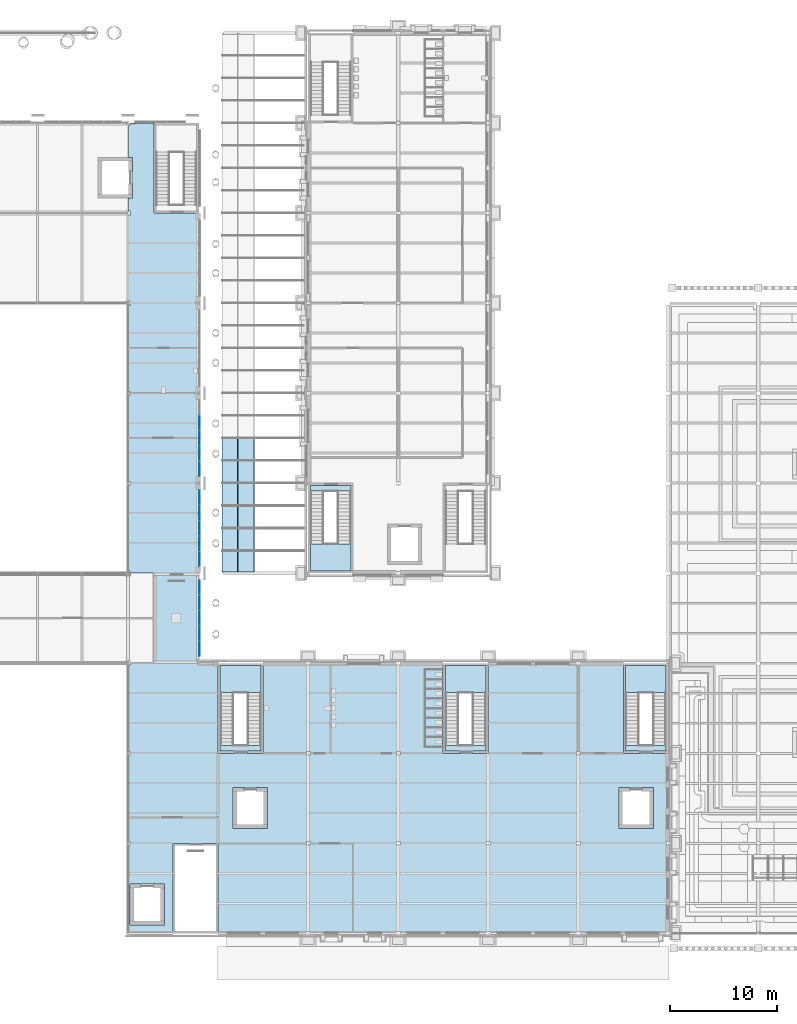
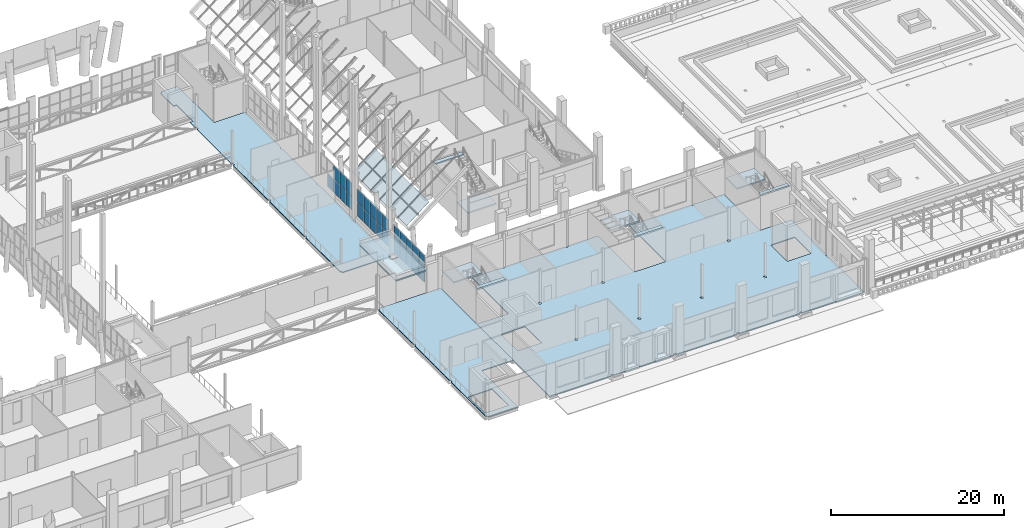
# One storey, part 42 of 76: 39 plates, 12 slabs, 7 elements without a shape of their own.
"""IFC4 building model written with IfcOpenShell, lengths in metres."""

from ifc_helpers import new_model, si_unit, direction, frame, origin, origin_2d, place, context, subcontext, project, spatial, polyline, rectangle, outline, extrude, material, layer, layer_set, type_object, element, aggregate, save


model = new_model("IFC4")

# Units and contexts
model_context = context("Model", 3, precision=1e-05, world=origin(), true_north=direction((0.0, 1.0)))
body_context = subcontext(model_context, "Body", "Model", "MODEL_VIEW")
ifc_project = project(units=[si_unit("LENGTHUNIT", "METRE"), si_unit("AREAUNIT", "SQUARE_METRE"), si_unit("VOLUMEUNIT", "CUBIC_METRE"), si_unit("PLANEANGLEUNIT", "RADIAN"), si_unit("MASSUNIT", "GRAM", prefix="KILO")], contexts=[model_context])

# Site, building, storey
site_placement = place(None, origin())
site = spatial("IfcSite", under=ifc_project, at=site_placement, CompositionType="ELEMENT")
building_placement = place(site_placement, origin())
building = spatial("IfcBuilding", under=site, at=building_placement, Name="Sava Quay Ferry Terminal", CompositionType="ELEMENT")
storey_placement = place(building_placement, frame((0.0, 0.0, 6.0)))
storey = spatial("IfcBuildingStorey", under=building, at=storey_placement, Name="L01", CompositionType="ELEMENT", Elevation=6.0)

# Slabs
ifc_material_1 = material(Name="Concrete C30/37", Category="concrete")
ifc_layer_1 = layer(ifc_material_1, 0.1298828125)
ifc_layer_set_1 = layer_set([ifc_layer_1], Name="Concrete C30/37")
slab_type_1 = type_object("IfcSlabType", Name="Composite floor slab 130", PredefinedType="FLOOR", material=ifc_layer_set_1)
slab_1_placement = place(storey_placement, frame((0.0, 0.0, -0.1298828125)))
element("IfcSlab", 1, at=slab_1_placement, inside=storey, type_object=slab_type_1, Name="A floor slab L01", PredefinedType="FLOOR", context=body_context, shape_type="SweptSolid", body=[
    extrude(outline(polyline([(79.800048828125, 33.60009765625), (79.800048828125, 25.199951171875), (75.760009765625, 25.199951171875), (75.760009765625, 25.360107421875), (75.60009765625, 25.360107421875), (75.60009765625, 33.43994140625), (75.760009765625, 33.43994140625), (75.760009765625, 33.760009765625), (75.60009765625, 33.760009765625), (75.60009765625, 41.840087890625), (75.760009765625, 41.840087890625), (75.760009765625, 42.159912109375), (75.60009765625, 42.159912109375), (75.60009765625, 50.18994140625), (75.760009765625, 50.18994140625), (75.760009765625, 50.39990234375), (78.0, 50.39990234375), (82.199951171875, 50.39990234375), (84.0, 50.39990234375), (84.0, 42.0), (84.0, 33.60009765625), (79.800048828125, 33.60009765625)]), holes=[polyline([(75.800048828125, 29.800048828125), (75.800048828125, 26.0), (79.0, 26.0), (79.0, 29.800048828125), (75.800048828125, 29.800048828125)])]), origin(), (0.0, 0.0, 1.0), 0.1298828125),
])
slab_2_placement = place(storey_placement, frame((0.0, 0.0, -0.1298828125)))
element("IfcSlab", 2, at=slab_2_placement, inside=storey, type_object=slab_type_1, Name="P floor slab L01", PredefinedType="FLOOR", context=body_context, shape_type="SweptSolid", body=[
    extrude(outline(polyline([(125.840087890625, 25.3701171875), (125.840087890625, 25.199951171875), (117.760009765625, 25.199951171875), (117.760009765625, 25.3701171875), (117.43994140625, 25.3701171875), (117.43994140625, 25.199951171875), (109.360107421875, 25.199951171875), (109.360107421875, 25.3701171875), (109.0400390625, 25.3701171875), (109.0400390625, 25.199951171875), (100.9599609375, 25.199951171875), (100.9599609375, 25.3701171875), (100.639892578125, 25.3701171875), (100.639892578125, 25.199951171875), (92.56005859375, 25.199951171875), (92.56005859375, 25.3701171875), (92.239990234375, 25.3701171875), (92.239990234375, 25.199951171875), (84.0, 25.199951171875), (84.0, 33.60009765625), (84.0, 42.0), (88.199951171875, 42.0), (88.199951171875, 50.39990234375), (92.239990234375, 50.39990234375), (92.239990234375, 50.22998046875), (92.56005859375, 50.22998046875), (92.56005859375, 50.39990234375), (100.639892578125, 50.39990234375), (100.639892578125, 50.22998046875), (100.9599609375, 50.22998046875), (100.9599609375, 50.39990234375), (105.0, 50.39990234375), (105.0, 42.0), (109.199951171875, 42.0), (109.199951171875, 50.39990234375), (117.43994140625, 50.39990234375), (117.43994140625, 50.22998046875), (117.760009765625, 50.22998046875), (117.760009765625, 50.39990234375), (121.800048828125, 50.39990234375), (121.800048828125, 42.0), (126.0, 42.0), (126.0, 33.77001953125), (125.840087890625, 33.77001953125), (125.840087890625, 33.429931640625), (126.0, 33.429931640625), (126.0, 25.3701171875), (125.840087890625, 25.3701171875)]), holes=[polyline([(92.239990234375, 33.77001953125), (92.239990234375, 33.429931640625), (92.56005859375, 33.429931640625), (92.56005859375, 33.77001953125), (92.239990234375, 33.77001953125)]), polyline([(100.639892578125, 33.77001953125), (100.639892578125, 33.429931640625), (100.9599609375, 33.429931640625), (100.9599609375, 33.77001953125), (100.639892578125, 33.77001953125)]), polyline([(85.39990234375, 35.0), (88.60009765625, 35.0), (88.60009765625, 38.800048828125), (85.39990234375, 38.800048828125), (85.39990234375, 35.0)]), polyline([(100.639892578125, 42.169921875), (100.639892578125, 41.830078125), (100.9599609375, 41.830078125), (100.9599609375, 42.169921875), (100.639892578125, 42.169921875)]), polyline([(92.239990234375, 42.169921875), (92.239990234375, 41.830078125), (92.56005859375, 41.830078125), (92.56005859375, 42.169921875), (92.239990234375, 42.169921875)]), polyline([(109.0400390625, 33.429931640625), (109.360107421875, 33.429931640625), (109.360107421875, 33.77001953125), (109.0400390625, 33.77001953125), (109.0400390625, 33.429931640625)]), polyline([(117.43994140625, 33.77001953125), (117.43994140625, 33.429931640625), (117.760009765625, 33.429931640625), (117.760009765625, 33.77001953125), (117.43994140625, 33.77001953125)]), polyline([(121.39990234375, 38.800048828125), (121.39990234375, 35.0), (124.60009765625, 35.0), (124.60009765625, 38.800048828125), (121.39990234375, 38.800048828125)]), polyline([(117.43994140625, 41.830078125), (117.760009765625, 41.830078125), (117.760009765625, 42.169921875), (117.43994140625, 42.169921875), (117.43994140625, 41.830078125)])]), origin(), (0.0, 0.0, 1.0), 0.1298828125),
])
slab_3_placement = place(storey_placement, frame((0.0, 0.0, -0.1298828125)))
element("IfcSlab", 3, at=slab_3_placement, inside=storey, type_object=slab_type_1, Name="D floor slab L01", PredefinedType="FLOOR", context=body_context, shape_type="SweptSolid", body=[
    extrude(outline(polyline([(78.0, 58.800048828125), (75.760009765625, 58.800048828125), (75.760009765625, 59.010009765625), (75.60009765625, 59.010009765625), (75.60009765625, 67.044921875), (75.760009765625, 67.044921875), (75.760009765625, 67.35498046875), (75.60009765625, 67.35498046875), (75.60009765625, 75.445068359375), (75.760009765625, 75.445068359375), (75.760009765625, 75.7548828125), (75.60009765625, 75.7548828125), (75.60009765625, 83.7900390625), (75.760009765625, 83.7900390625), (75.760009765625, 84.2099609375), (75.60009765625, 84.2099609375), (75.60009765625, 92.18994140625), (75.760009765625, 92.18994140625), (75.760009765625, 92.610107421875), (75.60009765625, 92.610107421875), (75.60009765625, 93.800048828125), (76.0, 93.800048828125), (76.0, 97.60009765625), (75.60009765625, 97.60009765625), (75.60009765625, 100.590087890625), (75.760009765625, 100.590087890625), (75.760009765625, 100.800048828125), (78.0, 100.800048828125), (78.0, 92.39990234375), (82.199951171875, 92.39990234375), (82.199951171875, 84.1298828125), (82.070068359375, 84.1298828125), (82.070068359375, 83.8701171875), (82.199951171875, 83.8701171875), (82.199951171875, 75.72998046875), (82.070068359375, 75.72998046875), (82.070068359375, 75.469970703125), (82.199951171875, 75.469970703125), (82.199951171875, 67.330078125), (82.070068359375, 67.330078125), (82.070068359375, 67.070068359375), (82.199951171875, 67.070068359375), (82.199951171875, 58.800048828125), (78.0, 58.800048828125)])), origin(), (0.0, 0.0, 1.0), 0.1298828125),
])

# Curtain wall, plates
ifc_material_2 = material(Name="Aluminium and glass curtain wall, double low-e glazed", Category="aluminium")
curtain_wall_type = type_object("IfcCurtainWallType", Name="Curtain wall CW-F flank", PredefinedType="NOTDEFINED", material=ifc_material_2)
curtain_wall_1_placement = place(storey_placement, origin())
curtain_wall_1 = element("IfcCurtainWall", 4, at=curtain_wall_1_placement, inside=storey, type_object=curtain_wall_type, Name="Curtain wall D-E L01 bay 1", PredefinedType="NOTDEFINED")
ifc_material_3 = material(Name="Laminated glass, double low-e glazed unit", Category="glass")
ifc_layer_2 = layer(ifc_material_3, 0.028076171875)
ifc_layer_set_2 = layer_set([ifc_layer_2], Name="Laminated glass, double low-e glazed unit")
plate_type_1 = type_object("IfcPlateType", Name="Glass panel 28 double low-e", PredefinedType="CURTAIN_PANEL", material=ifc_layer_set_2)
plate_1_placement = place(storey_placement, frame((82.27490234375, 51.735107421875, 0.949951171875), z_axis=(0.0, 0.0, 1.0), x_axis=(0.0, 1.0, 0.0)))
plate_1 = element("IfcPlate", 5, at=plate_1_placement, type_object=plate_type_1, Name="CW37 panel 1.1", PredefinedType="CURTAIN_PANEL", context=body_context, shape_type="SweptSolid", body=[
    extrude(rectangle(XDim=1.35009765625, YDim=0.028076171875, at=origin_2d()), origin(), (0.0, 0.0, 1.0), 1.875),
])
plate_2_placement = place(storey_placement, frame((82.27490234375, 51.735107421875, 2.875), z_axis=(0.0, 0.0, 1.0), x_axis=(0.0, 1.0, 0.0)))
plate_2 = element("IfcPlate", 6, at=plate_2_placement, type_object=plate_type_1, Name="CW37 panel 1.2", PredefinedType="CURTAIN_PANEL", context=body_context, shape_type="SweptSolid", body=[
    extrude(rectangle(XDim=1.35009765625, YDim=0.028076171875, at=origin_2d()), origin(), (0.0, 0.0, 1.0), 1.875),
])
plate_3_placement = place(storey_placement, frame((82.27490234375, 53.159912109375, 0.949951171875), z_axis=(0.0, 0.0, 1.0), x_axis=(0.0, 1.0, 0.0)))
plate_3 = element("IfcPlate", 7, at=plate_3_placement, type_object=plate_type_1, Name="CW37 panel 2.1", PredefinedType="CURTAIN_PANEL", context=body_context, shape_type="SweptSolid", body=[
    extrude(rectangle(XDim=1.3798828125, YDim=0.028076171875, at=origin_2d()), origin(), (0.0, 0.0, 1.0), 1.875),
])
plate_4_placement = place(storey_placement, frame((82.27490234375, 53.159912109375, 2.875), z_axis=(0.0, 0.0, 1.0), x_axis=(0.0, 1.0, 0.0)))
plate_4 = element("IfcPlate", 8, at=plate_4_placement, type_object=plate_type_1, Name="CW37 panel 2.2", PredefinedType="CURTAIN_PANEL", context=body_context, shape_type="SweptSolid", body=[
    extrude(rectangle(XDim=1.3798828125, YDim=0.028076171875, at=origin_2d()), origin(), (0.0, 0.0, 1.0), 1.875),
])
plate_5_placement = place(storey_placement, frame((82.27490234375, 54.60009765625, 0.949951171875), z_axis=(0.0, 0.0, 1.0), x_axis=(0.0, 1.0, 0.0)))
plate_5 = element("IfcPlate", 9, at=plate_5_placement, type_object=plate_type_1, Name="CW37 panel 3.1", PredefinedType="CURTAIN_PANEL", context=body_context, shape_type="SweptSolid", body=[
    extrude(rectangle(XDim=1.3798828125, YDim=0.028076171875, at=origin_2d()), origin(), (0.0, 0.0, 1.0), 1.875),
])
plate_6_placement = place(storey_placement, frame((82.27490234375, 54.60009765625, 2.875), z_axis=(0.0, 0.0, 1.0), x_axis=(0.0, 1.0, 0.0)))
plate_6 = element("IfcPlate", 10, at=plate_6_placement, type_object=plate_type_1, Name="CW37 panel 3.2", PredefinedType="CURTAIN_PANEL", context=body_context, shape_type="SweptSolid", body=[
    extrude(rectangle(XDim=1.3798828125, YDim=0.028076171875, at=origin_2d()), origin(), (0.0, 0.0, 1.0), 1.875),
])
plate_7_placement = place(storey_placement, frame((82.27490234375, 56.0400390625, 0.949951171875), z_axis=(0.0, 0.0, 1.0), x_axis=(0.0, 1.0, 0.0)))
plate_7 = element("IfcPlate", 11, at=plate_7_placement, type_object=plate_type_1, Name="CW37 panel 4.1", PredefinedType="CURTAIN_PANEL", context=body_context, shape_type="SweptSolid", body=[
    extrude(rectangle(XDim=1.3798828125, YDim=0.028076171875, at=origin_2d()), origin(), (0.0, 0.0, 1.0), 1.875),
])
plate_8_placement = place(storey_placement, frame((82.27490234375, 56.0400390625, 2.875), z_axis=(0.0, 0.0, 1.0), x_axis=(0.0, 1.0, 0.0)))
plate_8 = element("IfcPlate", 12, at=plate_8_placement, type_object=plate_type_1, Name="CW37 panel 4.2", PredefinedType="CURTAIN_PANEL", context=body_context, shape_type="SweptSolid", body=[
    extrude(rectangle(XDim=1.3798828125, YDim=0.028076171875, at=origin_2d()), origin(), (0.0, 0.0, 1.0), 1.875),
])
plate_9_placement = place(storey_placement, frame((82.27490234375, 57.465087890625, 0.949951171875), z_axis=(0.0, 0.0, 1.0), x_axis=(0.0, 1.0, 0.0)))
plate_9 = element("IfcPlate", 13, at=plate_9_placement, type_object=plate_type_1, Name="CW37 panel 5.1", PredefinedType="CURTAIN_PANEL", context=body_context, shape_type="SweptSolid", body=[
    extrude(rectangle(XDim=1.35009765625, YDim=0.028076171875, at=origin_2d()), origin(), (0.0, 0.0, 1.0), 1.875),
])
plate_10_placement = place(storey_placement, frame((82.27490234375, 57.465087890625, 2.875), z_axis=(0.0, 0.0, 1.0), x_axis=(0.0, 1.0, 0.0)))
plate_10 = element("IfcPlate", 14, at=plate_10_placement, type_object=plate_type_1, Name="CW37 panel 5.2", PredefinedType="CURTAIN_PANEL", context=body_context, shape_type="SweptSolid", body=[
    extrude(rectangle(XDim=1.35009765625, YDim=0.028076171875, at=origin_2d()), origin(), (0.0, 0.0, 1.0), 1.875),
])
aggregate(curtain_wall_1, [plate_1, plate_2, plate_3, plate_4, plate_5, plate_6, plate_7, plate_8, plate_9, plate_10])

curtain_wall_2_placement = place(storey_placement, origin())
curtain_wall_2 = element("IfcCurtainWall", 15, at=curtain_wall_2_placement, inside=storey, type_object=curtain_wall_type, Name="Curtain wall D-E L01 bay 2", PredefinedType="NOTDEFINED")
plate_11_placement = place(storey_placement, frame((82.27490234375, 60.135009765625, 0.949951171875), z_axis=(0.0, 0.0, 1.0), x_axis=(0.0, 1.0, 0.0)))
plate_11 = element("IfcPlate", 16, at=plate_11_placement, type_object=plate_type_1, Name="CW41 panel 1.1", PredefinedType="CURTAIN_PANEL", context=body_context, shape_type="SweptSolid", body=[
    extrude(rectangle(XDim=1.35009765625, YDim=0.028076171875, at=origin_2d()), origin(), (0.0, 0.0, 1.0), 1.875),
])
plate_12_placement = place(storey_placement, frame((82.27490234375, 60.135009765625, 2.875), z_axis=(0.0, 0.0, 1.0), x_axis=(0.0, 1.0, 0.0)))
plate_12 = element("IfcPlate", 17, at=plate_12_placement, type_object=plate_type_1, Name="CW41 panel 1.2", PredefinedType="CURTAIN_PANEL", context=body_context, shape_type="SweptSolid", body=[
    extrude(rectangle(XDim=1.35009765625, YDim=0.028076171875, at=origin_2d()), origin(), (0.0, 0.0, 1.0), 1.875),
])
plate_13_placement = place(storey_placement, frame((82.27490234375, 61.56005859375, 0.949951171875), z_axis=(0.0, 0.0, 1.0), x_axis=(0.0, 1.0, 0.0)))
plate_13 = element("IfcPlate", 18, at=plate_13_placement, type_object=plate_type_1, Name="CW41 panel 2.1", PredefinedType="CURTAIN_PANEL", context=body_context, shape_type="SweptSolid", body=[
    extrude(rectangle(XDim=1.3798828125, YDim=0.028076171875, at=origin_2d()), origin(), (0.0, 0.0, 1.0), 1.875),
])
plate_14_placement = place(storey_placement, frame((82.27490234375, 61.56005859375, 2.875), z_axis=(0.0, 0.0, 1.0), x_axis=(0.0, 1.0, 0.0)))
plate_14 = element("IfcPlate", 19, at=plate_14_placement, type_object=plate_type_1, Name="CW41 panel 2.2", PredefinedType="CURTAIN_PANEL", context=body_context, shape_type="SweptSolid", body=[
    extrude(rectangle(XDim=1.3798828125, YDim=0.028076171875, at=origin_2d()), origin(), (0.0, 0.0, 1.0), 1.875),
])
plate_15_placement = place(storey_placement, frame((82.27490234375, 63.0, 0.949951171875), z_axis=(0.0, 0.0, 1.0), x_axis=(0.0, 1.0, 0.0)))
plate_15 = element("IfcPlate", 20, at=plate_15_placement, type_object=plate_type_1, Name="CW41 panel 3.1", PredefinedType="CURTAIN_PANEL", context=body_context, shape_type="SweptSolid", body=[
    extrude(rectangle(XDim=1.3798828125, YDim=0.028076171875, at=origin_2d()), origin(), (0.0, 0.0, 1.0), 1.875),
])
plate_16_placement = place(storey_placement, frame((82.27490234375, 63.0, 2.875), z_axis=(0.0, 0.0, 1.0), x_axis=(0.0, 1.0, 0.0)))
plate_16 = element("IfcPlate", 21, at=plate_16_placement, type_object=plate_type_1, Name="CW41 panel 3.2", PredefinedType="CURTAIN_PANEL", context=body_context, shape_type="SweptSolid", body=[
    extrude(rectangle(XDim=1.3798828125, YDim=0.028076171875, at=origin_2d()), origin(), (0.0, 0.0, 1.0), 1.875),
])
plate_17_placement = place(storey_placement, frame((82.27490234375, 64.43994140625, 0.949951171875), z_axis=(0.0, 0.0, 1.0), x_axis=(0.0, 1.0, 0.0)))
plate_17 = element("IfcPlate", 22, at=plate_17_placement, type_object=plate_type_1, Name="CW41 panel 4.1", PredefinedType="CURTAIN_PANEL", context=body_context, shape_type="SweptSolid", body=[
    extrude(rectangle(XDim=1.3798828125, YDim=0.028076171875, at=origin_2d()), origin(), (0.0, 0.0, 1.0), 1.875),
])
plate_18_placement = place(storey_placement, frame((82.27490234375, 64.43994140625, 2.875), z_axis=(0.0, 0.0, 1.0), x_axis=(0.0, 1.0, 0.0)))
plate_18 = element("IfcPlate", 23, at=plate_18_placement, type_object=plate_type_1, Name="CW41 panel 4.2", PredefinedType="CURTAIN_PANEL", context=body_context, shape_type="SweptSolid", body=[
    extrude(rectangle(XDim=1.3798828125, YDim=0.028076171875, at=origin_2d()), origin(), (0.0, 0.0, 1.0), 1.875),
])
plate_19_placement = place(storey_placement, frame((82.27490234375, 65.864990234375, 0.949951171875), z_axis=(0.0, 0.0, 1.0), x_axis=(0.0, 1.0, 0.0)))
plate_19 = element("IfcPlate", 24, at=plate_19_placement, type_object=plate_type_1, Name="CW41 panel 5.1", PredefinedType="CURTAIN_PANEL", context=body_context, shape_type="SweptSolid", body=[
    extrude(rectangle(XDim=1.35009765625, YDim=0.028076171875, at=origin_2d()), origin(), (0.0, 0.0, 1.0), 1.875),
])
plate_20_placement = place(storey_placement, frame((82.27490234375, 65.864990234375, 2.875), z_axis=(0.0, 0.0, 1.0), x_axis=(0.0, 1.0, 0.0)))
plate_20 = element("IfcPlate", 25, at=plate_20_placement, type_object=plate_type_1, Name="CW41 panel 5.2", PredefinedType="CURTAIN_PANEL", context=body_context, shape_type="SweptSolid", body=[
    extrude(rectangle(XDim=1.35009765625, YDim=0.028076171875, at=origin_2d()), origin(), (0.0, 0.0, 1.0), 1.875),
])
aggregate(curtain_wall_2, [plate_11, plate_12, plate_13, plate_14, plate_15, plate_16, plate_17, plate_18, plate_19, plate_20])

curtain_wall_3_placement = place(storey_placement, origin())
curtain_wall_3 = element("IfcCurtainWall", 26, at=curtain_wall_3_placement, inside=storey, type_object=curtain_wall_type, Name="Curtain wall D-E L01 bay 3", PredefinedType="NOTDEFINED")
plate_21_placement = place(storey_placement, frame((82.27490234375, 68.534912109375, 0.949951171875), z_axis=(0.0, 0.0, 1.0), x_axis=(0.0, 1.0, 0.0)))
plate_21 = element("IfcPlate", 27, at=plate_21_placement, type_object=plate_type_1, Name="CW45 panel 1.1", PredefinedType="CURTAIN_PANEL", context=body_context, shape_type="SweptSolid", body=[
    extrude(rectangle(XDim=1.35009765625, YDim=0.028076171875, at=origin_2d()), origin(), (0.0, 0.0, 1.0), 1.875),
])
plate_22_placement = place(storey_placement, frame((82.27490234375, 68.534912109375, 2.875), z_axis=(0.0, 0.0, 1.0), x_axis=(0.0, 1.0, 0.0)))
plate_22 = element("IfcPlate", 28, at=plate_22_placement, type_object=plate_type_1, Name="CW45 panel 1.2", PredefinedType="CURTAIN_PANEL", context=body_context, shape_type="SweptSolid", body=[
    extrude(rectangle(XDim=1.35009765625, YDim=0.028076171875, at=origin_2d()), origin(), (0.0, 0.0, 1.0), 1.875),
])
plate_23_placement = place(storey_placement, frame((82.27490234375, 69.9599609375, 0.949951171875), z_axis=(0.0, 0.0, 1.0), x_axis=(0.0, 1.0, 0.0)))
plate_23 = element("IfcPlate", 29, at=plate_23_placement, type_object=plate_type_1, Name="CW45 panel 2.1", PredefinedType="CURTAIN_PANEL", context=body_context, shape_type="SweptSolid", body=[
    extrude(rectangle(XDim=1.3798828125, YDim=0.028076171875, at=origin_2d()), origin(), (0.0, 0.0, 1.0), 1.875),
])
plate_24_placement = place(storey_placement, frame((82.27490234375, 69.9599609375, 2.875), z_axis=(0.0, 0.0, 1.0), x_axis=(0.0, 1.0, 0.0)))
plate_24 = element("IfcPlate", 30, at=plate_24_placement, type_object=plate_type_1, Name="CW45 panel 2.2", PredefinedType="CURTAIN_PANEL", context=body_context, shape_type="SweptSolid", body=[
    extrude(rectangle(XDim=1.3798828125, YDim=0.028076171875, at=origin_2d()), origin(), (0.0, 0.0, 1.0), 1.875),
])
plate_25_placement = place(storey_placement, frame((82.27490234375, 71.39990234375, 0.949951171875), z_axis=(0.0, 0.0, 1.0), x_axis=(0.0, 1.0, 0.0)))
plate_25 = element("IfcPlate", 31, at=plate_25_placement, type_object=plate_type_1, Name="CW45 panel 3.1", PredefinedType="CURTAIN_PANEL", context=body_context, shape_type="SweptSolid", body=[
    extrude(rectangle(XDim=1.3798828125, YDim=0.028076171875, at=origin_2d()), origin(), (0.0, 0.0, 1.0), 1.875),
])
plate_26_placement = place(storey_placement, frame((82.27490234375, 71.39990234375, 2.875), z_axis=(0.0, 0.0, 1.0), x_axis=(0.0, 1.0, 0.0)))
plate_26 = element("IfcPlate", 32, at=plate_26_placement, type_object=plate_type_1, Name="CW45 panel 3.2", PredefinedType="CURTAIN_PANEL", context=body_context, shape_type="SweptSolid", body=[
    extrude(rectangle(XDim=1.3798828125, YDim=0.028076171875, at=origin_2d()), origin(), (0.0, 0.0, 1.0), 1.875),
])
plate_27_placement = place(storey_placement, frame((82.27490234375, 72.840087890625, 0.949951171875), z_axis=(0.0, 0.0, 1.0), x_axis=(0.0, 1.0, 0.0)))
plate_27 = element("IfcPlate", 33, at=plate_27_placement, type_object=plate_type_1, Name="CW45 panel 4.1", PredefinedType="CURTAIN_PANEL", context=body_context, shape_type="SweptSolid", body=[
    extrude(rectangle(XDim=1.3798828125, YDim=0.028076171875, at=origin_2d()), origin(), (0.0, 0.0, 1.0), 1.875),
])
aggregate(curtain_wall_3, [plate_21, plate_22, plate_23, plate_24, plate_25, plate_26, plate_27])

# Slab
ifc_material_4 = material(Name="Concrete C35/45", Category="concrete")
ifc_layer_3 = layer(ifc_material_4, 0.199951171875)
ifc_layer_set_3 = layer_set([ifc_layer_3], Name="Concrete C35/45")
slab_type_2 = type_object("IfcSlabType", Name="RC core roof slab 200", PredefinedType="ROOF", material=ifc_layer_set_3)
slab_4_placement = place(storey_placement, frame((0.0, 0.0, 3.0)))
element("IfcSlab", 34, at=slab_4_placement, inside=storey, type_object=slab_type_2, Name="Core roof slab ST-D2", PredefinedType="ROOF", context=body_context, shape_type="SweptSolid", body=[
    extrude(outline(polyline([(78.0, 50.39990234375), (82.199951171875, 50.39990234375), (82.199951171875, 58.800048828125), (78.0, 58.800048828125), (78.0, 50.39990234375)]), holes=[polyline([(79.75, 54.25), (80.449951171875, 54.25), (80.449951171875, 54.949951171875), (79.75, 54.949951171875), (79.75, 54.25)])]), origin(), (0.0, 0.0, 1.0), 0.199951171875),
])

# Plates
ifc_material_5 = material(Name="Laminated glass", Category="glass")
ifc_layer_4 = layer(ifc_material_5, 0.0400390625)
ifc_layer_set_4 = layer_set([ifc_layer_4], Name="Laminated glass")
plate_type_2 = type_object("IfcPlateType", Name="Skylight glass 40", PredefinedType="SHEET", material=ifc_layer_set_4)
plate_28_placement = place(storey_placement, frame((85.814453125, 71.3798828125, 4.5869140625), z_axis=(-0.617821551932, 0.0, 0.786318338822), x_axis=(0.0, -1.0, 0.0)))
element("IfcPlate", 35, at=plate_28_placement, inside=storey, type_object=plate_type_2, Name="Passage roof glass PS-F-K18.0", PredefinedType="SHEET", context=body_context, shape_type="SweptSolid", body=[
    extrude(outline(polyline([(0.0, 0.0), (2.059814453125, 0.0), (2.059814453125, -1.816962503557546), (0.0, -1.816962503557546), (0.0, 0.0)])), origin(), (0.0, 0.0, -1.0), 0.0400390625),
])
plate_29_placement = place(storey_placement, frame((85.845947265625, 71.3798828125, 4.611572265625), z_axis=(-0.617810385509, 0.0, 0.786327112312), x_axis=(0.786327112312, 0.0, 0.617810385509)))
element("IfcPlate", 36, at=plate_29_placement, inside=storey, type_object=plate_type_2, Name="Passage roof glass PS-F-K18.1", PredefinedType="SHEET", context=body_context, shape_type="SweptSolid", body=[
    extrude(outline(polyline([(0.0, 0.0), (1.9311997052158885, 0.0), (1.9311997052158885, -2.059814453125), (0.0, -2.059814453125), (0.0, 0.0)])), origin(), (0.0, 0.0, -1.0), 0.0400390625),
])
plate_30_placement = place(storey_placement, frame((85.814453125, 69.280029296875, 4.5869140625), z_axis=(-0.617821551932, 0.0, 0.786318338822), x_axis=(0.0, -1.0, 0.0)))
element("IfcPlate", 37, at=plate_30_placement, inside=storey, type_object=plate_type_2, Name="Passage roof glass PS-F-K19.0", PredefinedType="SHEET", context=body_context, shape_type="SweptSolid", body=[
    extrude(outline(polyline([(0.0, 0.0), (2.06005859375, 0.0), (2.06005859375, -1.8169625035575463), (0.0, -1.8169625035575463), (0.0, 0.0)])), origin(), (0.0, 0.0, -1.0), 0.0400390625),
])
plate_31_placement = place(storey_placement, frame((85.845947265625, 69.280029296875, 4.611572265625), z_axis=(-0.617810385509, 0.0, 0.786327112312), x_axis=(0.786327112312, 0.0, 0.617810385509)))
element("IfcPlate", 38, at=plate_31_placement, inside=storey, type_object=plate_type_2, Name="Passage roof glass PS-F-K19.1", PredefinedType="SHEET", context=body_context, shape_type="SweptSolid", body=[
    extrude(outline(polyline([(0.0, 0.0), (1.9311997052158885, 0.0), (1.9311997052158885, -2.06005859375), (0.0, -2.06005859375), (0.0, 0.0)])), origin(), (0.0, 0.0, -1.0), 0.0400390625),
])
plate_32_placement = place(storey_placement, frame((85.814453125, 67.179931640625, 4.5869140625), z_axis=(-0.617821551932, 0.0, 0.786318338822), x_axis=(0.0, -1.0, 0.0)))
element("IfcPlate", 39, at=plate_32_placement, inside=storey, type_object=plate_type_2, Name="Passage roof glass PS-F-K20.0", PredefinedType="SHEET", context=body_context, shape_type="SweptSolid", body=[
    extrude(outline(polyline([(0.0, 0.0), (2.059814453125, 0.0), (2.059814453125, -1.816962503557546), (0.0, -1.816962503557546), (0.0, 0.0)])), origin(), (0.0, 0.0, -1.0), 0.0400390625),
])
plate_33_placement = place(storey_placement, frame((85.845947265625, 67.179931640625, 4.611572265625), z_axis=(-0.617810385509, 0.0, 0.786327112312), x_axis=(0.786327112312, 0.0, 0.617810385509)))
element("IfcPlate", 40, at=plate_33_placement, inside=storey, type_object=plate_type_2, Name="Passage roof glass PS-F-K20.1", PredefinedType="SHEET", context=body_context, shape_type="SweptSolid", body=[
    extrude(outline(polyline([(0.0, 0.0), (1.9311997052158885, 0.0), (1.9311997052158885, -2.059814453125), (0.0, -2.059814453125), (0.0, 0.0)])), origin(), (0.0, 0.0, -1.0), 0.0400390625),
])
plate_34_placement = place(storey_placement, frame((85.814453125, 65.080078125, 4.5869140625), z_axis=(-0.617821551932, 0.0, 0.786318338822), x_axis=(0.0, -1.0, 0.0)))
element("IfcPlate", 41, at=plate_34_placement, inside=storey, type_object=plate_type_2, Name="Passage roof glass PS-F-K21.0", PredefinedType="SHEET", context=body_context, shape_type="SweptSolid", body=[
    extrude(outline(polyline([(0.0, 0.0), (2.06005859375, 0.0), (2.06005859375, -1.8169625035575463), (0.0, -1.8169625035575463), (0.0, 0.0)])), origin(), (0.0, 0.0, -1.0), 0.0400390625),
])
plate_35_placement = place(storey_placement, frame((85.845947265625, 65.080078125, 4.611572265625), z_axis=(-0.617810385509, 0.0, 0.786327112312), x_axis=(0.786327112312, 0.0, 0.617810385509)))
element("IfcPlate", 42, at=plate_35_placement, inside=storey, type_object=plate_type_2, Name="Passage roof glass PS-F-K21.1", PredefinedType="SHEET", context=body_context, shape_type="SweptSolid", body=[
    extrude(outline(polyline([(0.0, 0.0), (1.9311997052158885, 0.0), (1.9311997052158885, -2.06005859375), (0.0, -2.06005859375), (0.0, 0.0)])), origin(), (0.0, 0.0, -1.0), 0.0400390625),
])
plate_36_placement = place(storey_placement, frame((85.814453125, 62.97998046875, 4.5869140625), z_axis=(-0.617821551932, 0.0, 0.786318338822), x_axis=(0.0, -1.0, 0.0)))
element("IfcPlate", 43, at=plate_36_placement, inside=storey, type_object=plate_type_2, Name="Passage roof glass PS-F-K22.0", PredefinedType="SHEET", context=body_context, shape_type="SweptSolid", body=[
    extrude(outline(polyline([(0.0, 0.0), (2.06005859375, 0.0), (2.06005859375, -1.8169625035575463), (0.0, -1.8169625035575463), (0.0, 0.0)])), origin(), (0.0, 0.0, -1.0), 0.0400390625),
])
plate_37_placement = place(storey_placement, frame((85.845947265625, 62.97998046875, 4.611572265625), z_axis=(-0.617810385509, 0.0, 0.786327112312), x_axis=(0.786327112312, 0.0, 0.617810385509)))
element("IfcPlate", 44, at=plate_37_placement, inside=storey, type_object=plate_type_2, Name="Passage roof glass PS-F-K22.1", PredefinedType="SHEET", context=body_context, shape_type="SweptSolid", body=[
    extrude(outline(polyline([(0.0, 0.0), (1.9311997052158885, 0.0), (1.9311997052158885, -2.06005859375), (0.0, -2.06005859375), (0.0, 0.0)])), origin(), (0.0, 0.0, -1.0), 0.0400390625),
])
plate_38_placement = place(storey_placement, frame((85.814453125, 60.8798828125, 4.5869140625), z_axis=(-0.617821551932, 0.0, 0.786318338822), x_axis=(0.0, -1.0, 0.0)))
element("IfcPlate", 45, at=plate_38_placement, inside=storey, type_object=plate_type_2, Name="Passage roof glass PS-F-K23.0", PredefinedType="SHEET", context=body_context, shape_type="SweptSolid", body=[
    extrude(outline(polyline([(0.0, 0.0), (1.945556640625, 0.0), (1.945556640625, -1.816962503557546), (0.0, -1.816962503557546), (0.0, 0.0)])), origin(), (0.0, 0.0, -1.0), 0.0400390625),
])
plate_39_placement = place(storey_placement, frame((85.845947265625, 60.8798828125, 4.611572265625), z_axis=(-0.617810385509, 0.0, 0.786327112312), x_axis=(0.786327112312, 0.0, 0.617810385509)))
element("IfcPlate", 46, at=plate_39_placement, inside=storey, type_object=plate_type_2, Name="Passage roof glass PS-F-K23.1", PredefinedType="SHEET", context=body_context, shape_type="SweptSolid", body=[
    extrude(outline(polyline([(0.0, 0.0), (1.9311997052158885, 0.0), (1.9311997052158885, -1.945556640625), (0.0, -1.945556640625), (0.0, 0.0)])), origin(), (0.0, 0.0, -1.0), 0.0400390625),
])

# Stair, slab
ifc_material_6 = material(Name="Concrete C30/37", Category="concrete")
stair_type = type_object("IfcStairType", Name="Stair 1200 half landing", PredefinedType="HALF_TURN_STAIR", material=ifc_material_6)
stair_1_placement = place(storey_placement, origin())
stair_1 = element("IfcStair", 47, at=stair_1_placement, inside=storey, type_object=stair_type, Name="Stair ST-P1 L01", PredefinedType="HALF_TURN_STAIR")
ifc_material_7 = material(Name="Concrete C30/37", Category="concrete")
ifc_layer_5 = layer(ifc_material_7, 0.199951171875)
ifc_layer_set_5 = layer_set([ifc_layer_5], Name="Concrete C30/37")
slab_type_3 = type_object("IfcSlabType", Name="Stair head floor 200", PredefinedType="FLOOR", material=ifc_layer_set_5)
slab_5_placement = place(storey_placement, frame((0.0, 0.0, 4.60009765625)))
slab_5 = element("IfcSlab", 48, at=slab_5_placement, type_object=slab_type_3, Name="ST-P1 head floor L02", PredefinedType="FLOOR", context=body_context, shape_type="SweptSolid", body=[
    extrude(outline(polyline([(84.199951171875, 42.199951171875), (84.199951171875, 42.72998046875), (88.0, 42.72998046875), (88.0, 42.199951171875), (84.199951171875, 42.199951171875)])), origin(), (0.0, 0.0, 1.0), 0.199951171875),
])

stair_2_placement = place(storey_placement, origin())
stair_2 = element("IfcStair", 49, at=stair_2_placement, inside=storey, type_object=stair_type, Name="Stair ST-P3 L01", PredefinedType="HALF_TURN_STAIR")
slab_6_placement = place(storey_placement, frame((0.0, 0.0, 4.60009765625)))
slab_6 = element("IfcSlab", 50, at=slab_6_placement, type_object=slab_type_3, Name="ST-P3 head floor L02", PredefinedType="FLOOR", context=body_context, shape_type="SweptSolid", body=[
    extrude(outline(polyline([(105.199951171875, 42.199951171875), (105.199951171875, 42.72998046875), (109.0, 42.72998046875), (109.0, 42.199951171875), (105.199951171875, 42.199951171875)])), origin(), (0.0, 0.0, 1.0), 0.199951171875),
])

stair_3_placement = place(storey_placement, origin())
stair_3 = element("IfcStair", 51, at=stair_3_placement, inside=storey, type_object=stair_type, Name="Stair ST-P2 L01", PredefinedType="HALF_TURN_STAIR")
slab_7_placement = place(storey_placement, frame((0.0, 0.0, 4.60009765625)))
slab_7 = element("IfcSlab", 52, at=slab_7_placement, type_object=slab_type_3, Name="ST-P2 head floor L02", PredefinedType="FLOOR", context=body_context, shape_type="SweptSolid", body=[
    extrude(outline(polyline([(122.0, 42.199951171875), (122.0, 42.72998046875), (125.800048828125, 42.72998046875), (125.800048828125, 42.199951171875), (122.0, 42.199951171875)])), origin(), (0.0, 0.0, 1.0), 0.199951171875),
])

stair_4_placement = place(storey_placement, origin())
stair_4 = element("IfcStair", 53, at=stair_4_placement, inside=storey, type_object=stair_type, Name="Stair ST-O1 L01", PredefinedType="HALF_TURN_STAIR")
slab_8_placement = place(storey_placement, frame((0.0, 0.0, 4.60009765625)))
slab_8 = element("IfcSlab", 54, at=slab_8_placement, type_object=slab_type_3, Name="ST-O1 head floor L02", PredefinedType="FLOOR", context=body_context, shape_type="SweptSolid", body=[
    extrude(outline(polyline([(92.60009765625, 66.469970703125), (92.60009765625, 67.0), (96.39990234375, 67.0), (96.39990234375, 66.469970703125), (92.60009765625, 66.469970703125)])), origin(), (0.0, 0.0, 1.0), 0.199951171875),
])

# Slab
ifc_material_8 = material(Name="Concrete C30/37", Category="concrete")
ifc_layer_6 = layer(ifc_material_8, 0.199951171875)
ifc_layer_set_6 = layer_set([ifc_layer_6], Name="Concrete C30/37")
slab_type_4 = type_object("IfcSlabType", Name="Stair landing 200", PredefinedType="LANDING", material=ifc_layer_set_6)
slab_9_placement = place(storey_placement, frame((0.0, 0.0, 2.199951171875)))
slab_9 = element("IfcSlab", 55, at=slab_9_placement, type_object=slab_type_4, Name="ST-P1 landing 1", PredefinedType="LANDING", context=body_context, shape_type="SweptSolid", body=[
    extrude(outline(polyline([(84.199951171875, 47.679931640625), (84.199951171875, 50.199951171875), (88.0, 50.199951171875), (88.0, 47.679931640625), (84.199951171875, 47.679931640625)])), origin(), (0.0, 0.0, 1.0), 0.199951171875),
])

aggregate(stair_1, [slab_9, slab_5])

slab_10_placement = place(storey_placement, frame((0.0, 0.0, 2.199951171875)))
slab_10 = element("IfcSlab", 56, at=slab_10_placement, type_object=slab_type_4, Name="ST-P3 landing 1", PredefinedType="LANDING", context=body_context, shape_type="SweptSolid", body=[
    extrude(outline(polyline([(105.199951171875, 47.679931640625), (105.199951171875, 50.199951171875), (109.0, 50.199951171875), (109.0, 47.679931640625), (105.199951171875, 47.679931640625)])), origin(), (0.0, 0.0, 1.0), 0.199951171875),
])

aggregate(stair_2, [slab_10, slab_6])

slab_11_placement = place(storey_placement, frame((0.0, 0.0, 2.199951171875)))
slab_11 = element("IfcSlab", 57, at=slab_11_placement, type_object=slab_type_4, Name="ST-P2 landing 1", PredefinedType="LANDING", context=body_context, shape_type="SweptSolid", body=[
    extrude(outline(polyline([(122.0, 47.679931640625), (122.0, 50.199951171875), (125.800048828125, 50.199951171875), (125.800048828125, 47.679931640625), (122.0, 47.679931640625)])), origin(), (0.0, 0.0, 1.0), 0.199951171875),
])

aggregate(stair_3, [slab_11, slab_7])

slab_12_placement = place(storey_placement, frame((0.0, 0.0, 2.199951171875)))
slab_12 = element("IfcSlab", 58, at=slab_12_placement, type_object=slab_type_4, Name="ST-O1 landing 1", PredefinedType="LANDING", context=body_context, shape_type="SweptSolid", body=[
    extrude(outline(polyline([(92.60009765625, 59.0), (92.60009765625, 61.52001953125), (96.39990234375, 61.52001953125), (96.39990234375, 59.0), (92.60009765625, 59.0)])), origin(), (0.0, 0.0, 1.0), 0.199951171875),
])

aggregate(stair_4, [slab_12, slab_8])

save(model, "model.ifc")
